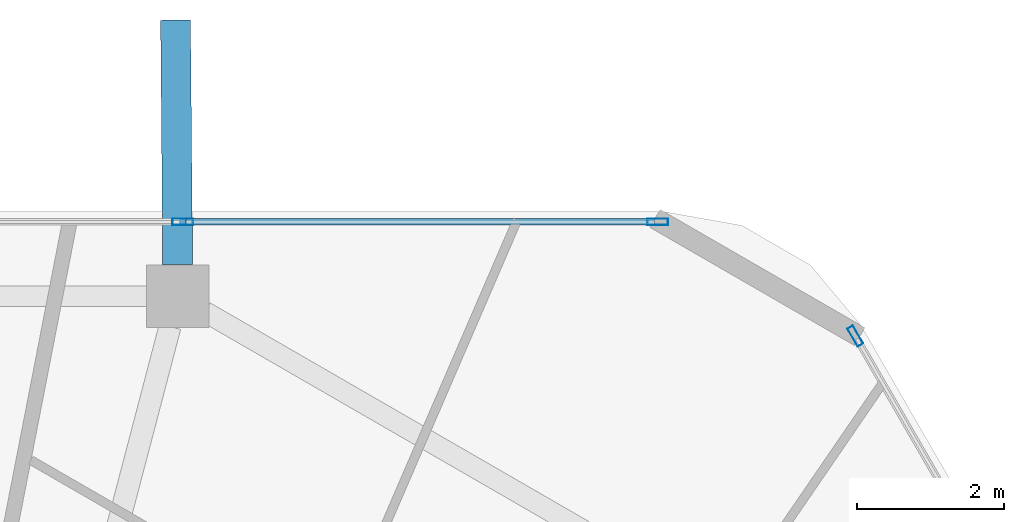
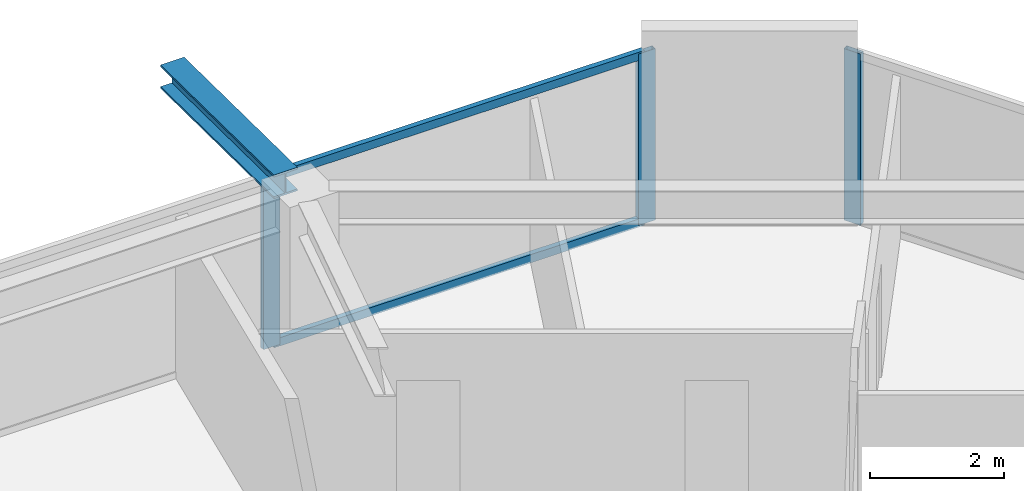
# One storey, part 16 of 26: 5 members, 1 beam, 2 elements without a shape of their own.
"""IFC4 building model written with IfcOpenShell, lengths in metres."""

from ifc_helpers import new_model, si_unit, direction, frame, origin, origin_2d, place, context, subcontext, project, spatial, hollow_rectangle, i_section, extrude, material, material_profile, profile_set, type_object, element, aggregate, save


model = new_model("IFC4")

# Units and contexts
model_context = context("Model", 3, precision=1e-05, world=origin(), true_north=direction((0.0, 1.0)))
body_context = subcontext(model_context, "Body", "Model", "MODEL_VIEW")
ifc_project = project(units=[si_unit("LENGTHUNIT", "METRE"), si_unit("AREAUNIT", "SQUARE_METRE"), si_unit("VOLUMEUNIT", "CUBIC_METRE"), si_unit("PLANEANGLEUNIT", "RADIAN"), si_unit("MASSUNIT", "GRAM", prefix="KILO")], contexts=[model_context])

# Site, building, storey
site_placement = place(None, origin())
site = spatial("IfcSite", under=ifc_project, at=site_placement, CompositionType="ELEMENT")
building_placement = place(site_placement, origin())
building = spatial("IfcBuilding", under=site, at=building_placement, Name="Zuhravey Tower", CompositionType="ELEMENT")
storey_placement = place(building_placement, frame((0.0, 0.0, 280.60009765625)))
storey = spatial("IfcBuildingStorey", under=building, at=storey_placement, Name="L71", CompositionType="ELEMENT", Elevation=280.60009765625)

# Curtain wall, members
ifc_material_1 = material(Name="Thermally broken anodised aluminium", Category="aluminium")
curtain_wall_type = type_object("IfcCurtainWallType", Name="Zone 3-4 High-Rise Curtain Wall CW4", PredefinedType="NOTDEFINED", material=ifc_material_1)
curtain_wall_1_placement = place(storey_placement, origin())
curtain_wall_1 = element("IfcCurtainWall", 1, at=curtain_wall_1_placement, inside=storey, type_object=curtain_wall_type, Name="L71 CW4 CW-L71-F2-1", PredefinedType="NOTDEFINED")
ifc_material_2 = material(Name="Anodised aluminium", Category="aluminium")
ifc_material_profile_1 = material_profile(ifc_material_2, hollow_rectangle(XDim=0.090087890625, YDim=0.284912109375, WallThickness=0.0048828125, at=origin_2d()), Name="ALU-RHS-90x285x5")
ifc_profile_set_1 = profile_set([ifc_material_profile_1], Name="Anodised aluminium")
member_type_1 = type_object("IfcMemberType", Name="Curtain-Wall Mullion 90x180", PredefinedType="MULLION", material=ifc_profile_set_1)
member_1_placement = place(storey_placement, frame((42.50634765625, 57.563720703125, 0.0), z_axis=(0.0, 0.0, 1.0), x_axis=(0.0, 1.0, 0.0)))
member_1 = element("IfcMember", 2, at=member_1_placement, type_object=member_type_1, Name="CW4 mullion 4", PredefinedType="MULLION", context=body_context, shape_type="SweptSolid", body=[
    extrude(hollow_rectangle(XDim=0.090087890625, YDim=0.284912109375, WallThickness=0.0048828125, at=origin_2d()), origin(), (0.0, 0.0, 1.0), 3.121826171875),
])
member_2_placement = place(storey_placement, frame((48.9677734375, 57.563720703125, 0.0), z_axis=(0.0, 0.0, 1.0), x_axis=(0.0, 1.0, 0.0)))
member_2 = element("IfcMember", 3, at=member_2_placement, type_object=member_type_1, Name="CW4 mullion 5", PredefinedType="MULLION", context=body_context, shape_type="SweptSolid", body=[
    extrude(hollow_rectangle(XDim=0.090087890625, YDim=0.284912109375, WallThickness=0.0048828125, at=origin_2d()), origin(), (0.0, 0.0, 1.0), 3.121826171875),
])

# Curtain wall, member
curtain_wall_2_placement = place(storey_placement, origin())
curtain_wall_2 = element("IfcCurtainWall", 4, at=curtain_wall_2_placement, inside=storey, type_object=curtain_wall_type, Name="L71 CW4 CW-L71-F1-1", PredefinedType="NOTDEFINED")
member_3_placement = place(storey_placement, frame((51.65478515625, 56.01220703125, 0.0), z_axis=(0.0, 0.0, 1.0), x_axis=(0.866024851021, 0.500000957414, 0.0)))
member_3 = element("IfcMember", 5, at=member_3_placement, type_object=member_type_1, Name="CW4 mullion 1", PredefinedType="MULLION", context=body_context, shape_type="SweptSolid", body=[
    extrude(hollow_rectangle(XDim=0.090087890625, YDim=0.284912109375, WallThickness=0.0048828125, at=origin_2d()), origin(), (0.0, 0.0, 1.0), 3.121826171875),
])
aggregate(curtain_wall_2, [member_3])

# Member
ifc_material_profile_2 = material_profile(ifc_material_2, hollow_rectangle(XDim=0.090087890625, YDim=0.14990234375, WallThickness=0.0048828125, at=origin_2d()), Name="ALU-RHS-90x150x5")
ifc_profile_set_2 = profile_set([ifc_material_profile_2], Name="Anodised aluminium")
member_type_2 = type_object("IfcMemberType", Name="Curtain-Wall Transom 90x150", PredefinedType="USERDEFINED", material=ifc_profile_set_2)
member_4_placement = place(storey_placement, frame((42.55126953125, 57.563720703125, 0.044921875), z_axis=(1.0, 0.0, 0.0), x_axis=(0.0, 1.0, 0.0)))
member_4 = element("IfcMember", 6, at=member_4_placement, type_object=member_type_2, Name="CW4 transom 4.1", ObjectType="TRANSOM", PredefinedType="USERDEFINED", context=body_context, shape_type="SweptSolid", body=[
    extrude(hollow_rectangle(XDim=0.090087890625, YDim=0.14990234375, WallThickness=0.0048828125, at=origin_2d()), origin(), (0.0, 0.0, 1.0), 6.371337890625),
])

member_5_placement = place(storey_placement, frame((42.55126953125, 57.563720703125, 3.076904296875), z_axis=(1.0, 0.0, 0.0), x_axis=(0.0, 1.0, 0.0)))
member_5 = element("IfcMember", 7, at=member_5_placement, type_object=member_type_2, Name="CW4 transom 4.2", ObjectType="TRANSOM", PredefinedType="USERDEFINED", context=body_context, shape_type="SweptSolid", body=[
    extrude(hollow_rectangle(XDim=0.090087890625, YDim=0.14990234375, WallThickness=0.0048828125, at=origin_2d()), origin(), (0.0, 0.0, 1.0), 6.371337890625),
])

aggregate(curtain_wall_1, [member_1, member_2, member_4, member_5])

# Beam
ifc_material_3 = material(Name="Steel SM460", Category="steel")
ifc_material_profile_3 = material_profile(ifc_material_3, i_section(OverallWidth=0.406982421875, OverallDepth=0.427978515625, WebThickness=0.02001953125, FlangeThickness=0.034912109375, at=origin_2d()), Name="H-428x407x20x35")
ifc_profile_set_3 = profile_set([ifc_material_profile_3], Name="Steel SM460")
beam_type = type_object("IfcBeamType", Name="Exoskeleton Node Tie Beam H428x407", PredefinedType="BEAM", material=ifc_profile_set_3)
beam_placement = place(storey_placement, frame((42.43701171875, 56.982666015625, 3.3359375), z_axis=(-0.00880829074, 0.999961206255, 0.0), x_axis=(-0.999961206255, -0.00880829074, 0.0)))
element("IfcBeam", 8, at=beam_placement, inside=storey, type_object=beam_type, Name="L71 Exoskeleton Node Tie NT1-03", PredefinedType="BEAM", context=body_context, shape_type="SweptSolid", body=[
    extrude(i_section(OverallWidth=0.406982421875, OverallDepth=0.427978515625, WebThickness=0.02001953125, FlangeThickness=0.034912109375, at=origin_2d()), origin(), (0.0, 0.0, 1.0), 3.326171875),
])

save(model, "model.ifc")
